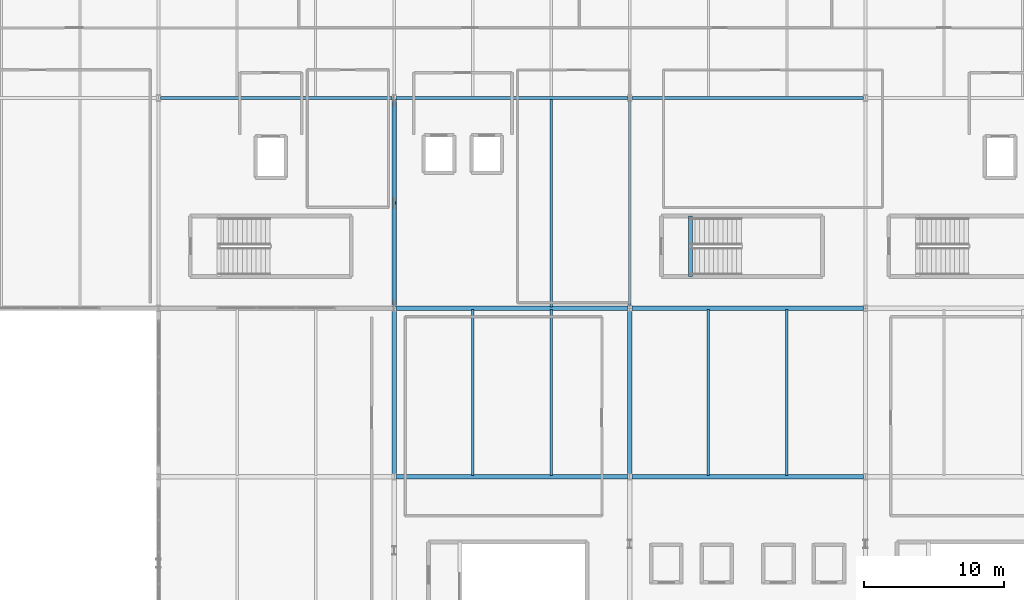
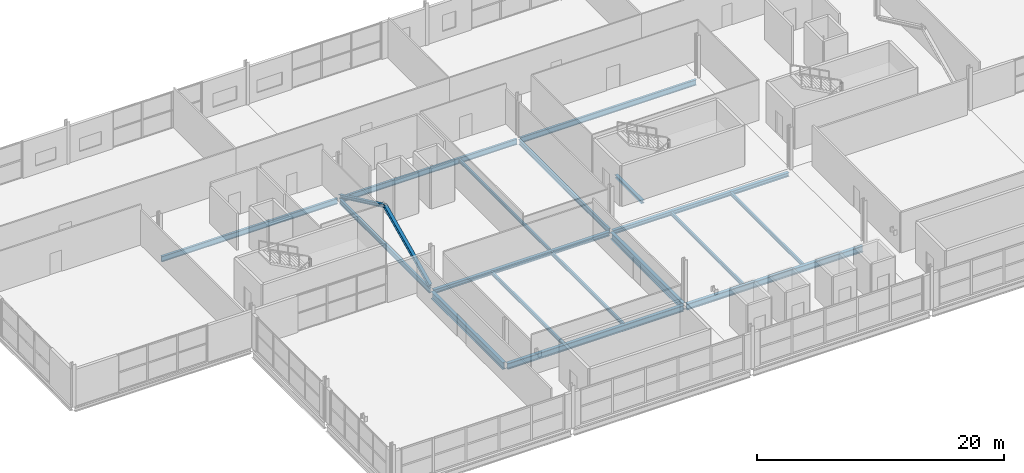
# One storey, part 13 of 39: 17 beams, 2 members.
"""IFC4 building model written with IfcOpenShell, lengths in metres."""

import ifcopenshell
import ifcopenshell.guid

model = None  # the IFC model being written
_history = None  # IfcOwnerHistory: only IFC2X3 demands one
_inside = {}  # id of a spatial element -> (the spatial element, [elements in it])
_under = {}  # id of a project, library or spatial element -> (it, [spatial elements below it])
_declared = {}  # id of a project -> (the project, [libraries it declares])
_typed = {}  # id of a type object -> (the type object, [elements of that type])
_made_of = {}  # id of a material, layer set ... -> (it, [elements and type objects made of it])


def new_model(schema):
    """Start an empty IFC model of exactly this schema.

    Asked for "IFC4X3", IfcOpenShell would pick the latest addendum, in which some entities
    have other attributes; the version numbers below select the first issue.
    IFC2X3 requires an IfcOwnerHistory on every rooted entity: one is made here for all.
    """
    global model, _history
    if schema == "IFC4X3":
        model = ifcopenshell.file(schema_version=(4, 3, 0, 0))
    else:
        model = ifcopenshell.file(schema=schema)
    _inside.clear()
    _under.clear()
    _declared.clear()
    _typed.clear()
    _made_of.clear()
    _history = None
    if model.schema == "IFC2X3":
        org = make("IfcOrganization", Name="unknown")
        user = make(
            "IfcPersonAndOrganization",
            ThePerson=make("IfcPerson", FamilyName="unknown"),
            TheOrganization=org,
        )
        app = make(
            "IfcApplication",
            ApplicationDeveloper=org,
            Version="unknown",
            ApplicationFullName="unknown",
            ApplicationIdentifier="unknown",
        )
        _history = make(
            "IfcOwnerHistory",
            OwningUser=user,
            OwningApplication=app,
            ChangeAction="ADDED",
            CreationDate=0,
        )
    return model


def make(cls, **values):
    """One entity of the class cls with the attributes given. An attribute that is None is left unset."""
    return model.create_entity(
        cls, **{name: value for name, value in values.items() if value is not None}
    )


def rooted(cls, **values):
    """An entity with a GlobalId (a new one), such as an element, a storey or a relation."""
    return make(cls, GlobalId=ifcopenshell.guid.new(), OwnerHistory=_history, **values)


def si_unit(unit_type, name, prefix=None):
    """IfcSIUnit, for example si_unit("LENGTHUNIT", "METRE", prefix="MILLI")."""
    return make("IfcSIUnit", UnitType=unit_type, Prefix=prefix, Name=name)


def assignment(units):
    """IfcUnitAssignment: the units of a project."""
    return None if units is None else make("IfcUnitAssignment", Units=units)


def point(xyz):
    """IfcCartesianPoint."""
    return None if xyz is None else make("IfcCartesianPoint", Coordinates=xyz)


def direction(xyz):
    """IfcDirection."""
    return None if xyz is None else make("IfcDirection", DirectionRatios=xyz)


def frame(location, z_axis=None, x_axis=None):
    """IfcAxis2Placement3D, a coordinate frame: its origin and axes. An axis left out is left unset."""
    return make(
        "IfcAxis2Placement3D",
        Location=point(location),
        Axis=direction(z_axis),
        RefDirection=direction(x_axis),
    )


def frame_2d(location, x_axis=None):
    """IfcAxis2Placement2D, a coordinate frame in the plane: its origin and x axis."""
    return make(
        "IfcAxis2Placement2D", Location=point(location), RefDirection=direction(x_axis)
    )


def origin():
    """The frame at (0, 0, 0) with its axes left unset."""
    return frame((0.0, 0.0, 0.0))


def origin_2d():
    """The frame at (0, 0) in the plane with its x axis left unset."""
    return frame_2d((0.0, 0.0))


def place(relative_to, where):
    """IfcLocalPlacement: puts the frame where relative to a parent placement (None: the world)."""
    return make(
        "IfcLocalPlacement", PlacementRelTo=relative_to, RelativePlacement=where
    )


def context(
    kind, dimensions, precision=None, world=None, true_north=None, identifier=None
):
    """IfcGeometricRepresentationContext, for example the 3D "Model" context."""
    return make(
        "IfcGeometricRepresentationContext",
        ContextIdentifier=identifier,
        ContextType=kind,
        CoordinateSpaceDimension=dimensions,
        Precision=precision,
        WorldCoordinateSystem=world,
        TrueNorth=true_north,
    )


def subcontext(parent, identifier, kind, view, scale=None):
    """IfcGeometricRepresentationSubContext, for example "Body" below "Model"."""
    return make(
        "IfcGeometricRepresentationSubContext",
        ContextIdentifier=identifier,
        ContextType=kind,
        ParentContext=parent,
        TargetScale=scale,
        TargetView=view,
    )


def project(units=None, contexts=None):
    """IfcProject with its units and contexts."""
    return rooted(
        "IfcProject",
        Name="project",
        RepresentationContexts=contexts,
        UnitsInContext=assignment(units),
    )


def spatial(cls, under=None, at=None, **own):
    """A site, building, storey or space (cls), placed at a placement, below another one or the project."""
    s = rooted(cls, ObjectPlacement=at, **own)
    if under is not None:
        _under.setdefault(under.id(), (under, []))[1].append(s)
    return s


def profile(cls, at=None, kind="AREA", **sizes):
    """A parametric profile (cls). Its sizes go by their IFC names, for example OverallWidth=200.0."""
    return make(cls, ProfileType=kind, Position=at, **sizes)


def i_section(**sizes):
    """IfcIShapeProfileDef."""
    return profile("IfcIShapeProfileDef", **sizes)


def extrude(swept, where, along, depth):
    """IfcExtrudedAreaSolid: the profile swept, set in the frame where, extruded along a direction by depth."""
    return make(
        "IfcExtrudedAreaSolid",
        SweptArea=swept,
        Position=where,
        ExtrudedDirection=direction(along),
        Depth=depth,
    )


def shape(context_of_items, identifier, shape_type, items):
    """IfcShapeRepresentation: the items that make up one representation, for example the "Body"."""
    return make(
        "IfcShapeRepresentation",
        ContextOfItems=context_of_items,
        RepresentationIdentifier=identifier,
        RepresentationType=shape_type,
        Items=items,
    )


def material(Name=None, Category=None):
    """IfcMaterial."""
    return make("IfcMaterial", Name=Name, Category=Category)


def material_profile(
    of_material, cross_section, Name=None, Category=None, Priority=None
):
    """IfcMaterialProfile: a cross section and its material."""
    return make(
        "IfcMaterialProfile",
        Name=Name,
        Material=of_material,
        Profile=cross_section,
        Priority=Priority,
        Category=Category,
    )


def profile_set(profiles, Name=None, composite=None):
    """IfcMaterialProfileSet."""
    return make(
        "IfcMaterialProfileSet",
        Name=Name,
        MaterialProfiles=profiles,
        CompositeProfile=composite,
    )


def made_of(thing, what):
    """Note that an element or type object is made of a material, layer set ...; save() writes the relation."""
    if what is not None:
        _made_of.setdefault(what.id(), (what, []))[1].append(thing)
    return thing


def type_object(cls, material=None, **own):
    """A type object (cls), such as IfcWallType, which elements share."""
    return made_of(rooted(cls, **own), material)


def element(
    cls,
    number,
    at=None,
    inside=None,
    cuts=None,
    type_object=None,
    material=None,
    context=None,
    identifier="Body",
    shape_type=None,
    held_by="IfcProductDefinitionShape",
    body=None,
    shapes=None,
    **own,
):
    """One element of the class cls, such as IfcWall. Its Tag is "e" and its number.

    at: its placement. inside: the storey or other place that contains it. cuts: it is an
    opening in that element (IfcRelVoidsElement). A single representation is given by context,
    identifier, shape_type and body (its items); several are given by shapes. held_by: the class
    of the entity that holds the representations. save() writes the other relations.
    """
    e = rooted(cls, Tag="e%d" % number, ObjectPlacement=at, **own)
    if body is not None:
        shapes = [shape(context, identifier, shape_type, body)]
    if shapes is not None:
        e.Representation = make(held_by, Representations=shapes)
    if inside is not None:
        _inside.setdefault(inside.id(), (inside, []))[1].append(e)
    if cuts is not None:
        rooted(
            "IfcRelVoidsElement", RelatingBuildingElement=cuts, RelatedOpeningElement=e
        )
    if type_object is not None:
        _typed.setdefault(type_object.id(), (type_object, []))[1].append(e)
    return made_of(e, material)


def aggregate(whole, parts):
    """IfcRelAggregates: a whole, such as a stair, and the parts it consists of."""
    return rooted("IfcRelAggregates", RelatingObject=whole, RelatedObjects=parts)


def save(model, path):
    """Write the relations noted so far, then the file.

    IfcRelAggregates (storeys below a building ...), IfcRelContainedInSpatialStructure (elements
    in a storey), IfcRelDefinesByType, IfcRelAssociatesMaterial and IfcRelDeclares: one each for
    every whole, place, type object, material and project.
    """
    for whole, parts in _under.values():
        aggregate(whole, parts)
    for where, things in _inside.values():
        rooted(
            "IfcRelContainedInSpatialStructure",
            RelatedElements=things,
            RelatingStructure=where,
        )
    for kind, things in _typed.values():
        rooted("IfcRelDefinesByType", RelatedObjects=things, RelatingType=kind)
    for what, things in _made_of.values():
        rooted("IfcRelAssociatesMaterial", RelatedObjects=things, RelatingMaterial=what)
    for by, libraries in _declared.values():
        rooted("IfcRelDeclares", RelatingContext=by, RelatedDefinitions=libraries)
    model.write(path)


model = new_model("IFC4")

# Units and contexts
model_context = context("Model", 3, precision=1e-05, world=origin(), true_north=direction((0.0, 1.0)))
body_context = subcontext(model_context, "Body", "Model", "MODEL_VIEW")
ifc_project = project(units=[si_unit("LENGTHUNIT", "METRE"), si_unit("AREAUNIT", "SQUARE_METRE"), si_unit("VOLUMEUNIT", "CUBIC_METRE"), si_unit("PLANEANGLEUNIT", "RADIAN"), si_unit("MASSUNIT", "GRAM", prefix="KILO")], contexts=[model_context])

# Site, building, storey
site_placement = place(None, origin())
site = spatial("IfcSite", under=ifc_project, at=site_placement, CompositionType="ELEMENT")
building_placement = place(site_placement, origin())
building = spatial("IfcBuilding", under=site, at=building_placement, Name="Kimbaza Rail Terminus", CompositionType="ELEMENT")
storey_placement = place(building_placement, frame((0.0, 0.0, 16.800048828125)))
storey = spatial("IfcBuildingStorey", under=building, at=storey_placement, Name="L03", CompositionType="ELEMENT", Elevation=16.800048828125)

# Beams
ifc_material_1 = material(Name="Steel S355", Category="steel")
ifc_material_profile_1 = material_profile(ifc_material_1, i_section(OverallWidth=0.300048828125, OverallDepth=0.2900390625, WebThickness=0.008544921875, FlangeThickness=0.013916015625, FilletRadius=0.027099609375, at=origin_2d()), Name="HEA 300")
ifc_profile_set_1 = profile_set([ifc_material_profile_1], Name="Steel S355")
beam_type_1 = type_object("IfcBeamType", Name="STR-BM-HEA300", PredefinedType="SPANDREL", material=ifc_profile_set_1)
beam_1_placement = place(storey_placement, frame((109.919921875, 105.260009765625, -0.344970703125), z_axis=(0.0, 1.0, 0.0), x_axis=(-1.0, 0.0, 0.0)))
element("IfcBeam", 1, at=beam_1_placement, inside=storey, type_object=beam_type_1, Name="Operations Central Exit Stair Landing Trimmer Beam L03", PredefinedType="SPANDREL", context=body_context, shape_type="SweptSolid", body=[
    extrude(i_section(OverallWidth=0.300048828125, OverallDepth=0.2900390625, WebThickness=0.008544921875, FlangeThickness=0.013916015625, FilletRadius=0.027099609375, at=origin_2d()), origin(), (0.0, 0.0, 1.0), 4.320068359375),
])
ifc_material_2 = material(Name="Steel S355", Category="steel")
ifc_material_profile_2 = material_profile(ifc_material_2, i_section(OverallWidth=0.300048828125, OverallDepth=0.389892578125, WebThickness=0.010986328125, FlangeThickness=0.01904296875, FilletRadius=0.027099609375, at=origin_2d()), Name="HEA 400")
ifc_profile_set_2 = profile_set([ifc_material_profile_2], Name="Steel S355")
beam_type_2 = type_object("IfcBeamType", Name="STR-BM-HEA400", PredefinedType="SPANDREL", material=ifc_profile_set_2)
beam_2_placement = place(storey_placement, frame((88.946044921875, 103.0, -0.47509765625), z_axis=(1.0, 0.0, 0.0), x_axis=(0.0, 1.0, 0.0)))
element("IfcBeam", 2, at=beam_2_placement, inside=storey, type_object=beam_type_2, Name="Operations Girder L03 X2-Y0", PredefinedType="SPANDREL", context=body_context, shape_type="SweptSolid", body=[
    extrude(i_section(OverallWidth=0.300048828125, OverallDepth=0.389892578125, WebThickness=0.010986328125, FlangeThickness=0.01904296875, FilletRadius=0.027099609375, at=origin_2d()), origin(), (0.0, 0.0, 1.0), 16.508056640625),
])
beam_3_placement = place(storey_placement, frame((105.74609375, 103.0, -0.47509765625), z_axis=(1.0, 0.0, 0.0), x_axis=(0.0, 1.0, 0.0)))
element("IfcBeam", 3, at=beam_3_placement, inside=storey, type_object=beam_type_2, Name="Operations Girder L03 X3-Y0", PredefinedType="SPANDREL", context=body_context, shape_type="SweptSolid", body=[
    extrude(i_section(OverallWidth=0.300048828125, OverallDepth=0.389892578125, WebThickness=0.010986328125, FlangeThickness=0.01904296875, FilletRadius=0.027099609375, at=origin_2d()), origin(), (0.0, 0.0, 1.0), 16.5078125),
])
ifc_material_3 = material(Name="Steel S355", Category="steel")
ifc_material_profile_3 = material_profile(ifc_material_3, i_section(OverallWidth=0.300048828125, OverallDepth=0.60009765625, WebThickness=0.015380859375, FlangeThickness=0.030029296875, FilletRadius=0.027099609375, at=origin_2d()), Name="HEB 600")
ifc_profile_set_3 = profile_set([ifc_material_profile_3], Name="Steel S355")
beam_type_3 = type_object("IfcBeamType", Name="STR-BM-HEB600", PredefinedType="BEAM", material=ifc_profile_set_3)
beam_4_placement = place(storey_placement, frame((88.946044921875, 91.0, -0.580078125), z_axis=(1.0, 0.0, 0.0), x_axis=(0.0, 1.0, 0.0)))
element("IfcBeam", 4, at=beam_4_placement, inside=storey, type_object=beam_type_3, Name="Beam BM-BRGX-91-1", PredefinedType="BEAM", context=body_context, shape_type="SweptSolid", body=[
    extrude(i_section(OverallWidth=0.300048828125, OverallDepth=0.60009765625, WebThickness=0.015380859375, FlangeThickness=0.030029296875, FilletRadius=0.027099609375, at=origin_2d()), origin(), (0.0, 0.0, 1.0), 16.508056640625),
])
beam_5_placement = place(storey_placement, frame((105.74609375, 91.0, -0.580078125), z_axis=(1.0, 0.0, 0.0), x_axis=(0.0, 1.0, 0.0)))
element("IfcBeam", 5, at=beam_5_placement, inside=storey, type_object=beam_type_3, Name="Beam BM-BRGX-91-2", PredefinedType="BEAM", context=body_context, shape_type="SweptSolid", body=[
    extrude(i_section(OverallWidth=0.300048828125, OverallDepth=0.60009765625, WebThickness=0.015380859375, FlangeThickness=0.030029296875, FilletRadius=0.027099609375, at=origin_2d()), origin(), (0.0, 0.0, 1.0), 16.5078125),
])
ifc_material_4 = material(Name="Steel S355", Category="steel")
ifc_material_profile_4 = material_profile(ifc_material_4, i_section(OverallWidth=0.300048828125, OverallDepth=0.699951171875, WebThickness=0.01708984375, FlangeThickness=0.031982421875, FilletRadius=0.027099609375, at=origin_2d()), Name="HEB 700")
ifc_profile_set_4 = profile_set([ifc_material_profile_4], Name="Steel S355")
beam_type_4 = type_object("IfcBeamType", Name="STR-BM-HEB700", PredefinedType="USERDEFINED", material=ifc_profile_set_4)
for number, where, z_axis, x_axis, name in (
    (6, (88.800048828125, 91.175048828125, -0.630126953125), (0.0, 1.0, 0.0), (-1.0, 0.0, 0.0), "Beam BM-BRGY-89-91"),
    (7, (105.60009765625, 91.175048828125, -0.630126953125), (0.0, 1.0, 0.0), (-1.0, 0.0, 0.0), "Beam BM-BRGY-106-91"),
):
    element("IfcBeam", number, at=place(storey_placement, frame(where, z_axis=z_axis, x_axis=x_axis)), inside=storey, type_object=beam_type_4, Name=name, ObjectType="GIRDER", PredefinedType="USERDEFINED", context=body_context, shape_type="SweptSolid", body=[
        extrude(i_section(OverallWidth=0.300048828125, OverallDepth=0.699951171875, WebThickness=0.01708984375, FlangeThickness=0.031982421875, FilletRadius=0.027099609375, at=origin_2d()), origin(), (0.0, 0.0, 1.0), 11.64990234375),
    ])
ifc_material_5 = material(Name="Steel S355", Category="steel")
ifc_material_profile_5 = material_profile(ifc_material_5, i_section(OverallWidth=0.159912109375, OverallDepth=0.330078125, WebThickness=0.007568359375, FlangeThickness=0.011474609375, FilletRadius=0.01806640625, at=origin_2d()), Name="IPE 330")
ifc_profile_set_5 = profile_set([ifc_material_profile_5], Name="Steel S355")
beam_type_5 = type_object("IfcBeamType", Name="STR-BM-IPE330", PredefinedType="JOIST", material=ifc_profile_set_5)
beam_6_placement = place(storey_placement, frame((100.0, 103.10009765625, -0.364990234375), z_axis=(0.0, 1.0, 0.0), x_axis=(-1.0, 0.0, 0.0)))
element("IfcBeam", 8, at=beam_6_placement, inside=storey, type_object=beam_type_5, Name="Operations Secondary Joist L03", PredefinedType="JOIST", context=body_context, shape_type="SweptSolid", body=[
    extrude(i_section(OverallWidth=0.159912109375, OverallDepth=0.330078125, WebThickness=0.007568359375, FlangeThickness=0.011474609375, FilletRadius=0.01806640625, at=origin_2d()), origin(), (0.0, 0.0, 1.0), 14.7998046875),
])
ifc_material_6 = material(Name="Steel S355", Category="steel")
ifc_material_profile_6 = material_profile(ifc_material_6, i_section(OverallWidth=0.169921875, OverallDepth=0.360107421875, WebThickness=0.008056640625, FlangeThickness=0.0126953125, FilletRadius=0.01806640625, at=origin_2d()), Name="IPE 360")
ifc_profile_set_6 = profile_set([ifc_material_profile_6], Name="Steel S355")
beam_type_6 = type_object("IfcBeamType", Name="STR-BM-IPE360", PredefinedType="JOIST", material=ifc_profile_set_6)
for number, where, z_axis, x_axis, name in (
    (9, (94.39990234375, 91.10009765625, -0.4599609375), (0.0, 1.0, 0.0), (-1.0, 0.0, 0.0), "Beam JST-BRG-L03-1-1-91"),
    (10, (100.0, 91.10009765625, -0.4599609375), (0.0, 1.0, 0.0), (-1.0, 0.0, 0.0), "Beam JST-BRG-L03-1-2-91"),
    (11, (111.199951171875, 91.10009765625, -0.4599609375), (0.0, 1.0, 0.0), (-1.0, 0.0, 0.0), "Beam JST-BRG-L03-2-1-91"),
    (12, (116.800048828125, 91.10009765625, -0.4599609375), (0.0, 1.0, 0.0), (-1.0, 0.0, 0.0), "Beam JST-BRG-L03-2-2-91"),
):
    element("IfcBeam", number, at=place(storey_placement, frame(where, z_axis=z_axis, x_axis=x_axis)), inside=storey, type_object=beam_type_6, Name=name, PredefinedType="JOIST", context=body_context, shape_type="SweptSolid", body=[
        extrude(i_section(OverallWidth=0.169921875, OverallDepth=0.360107421875, WebThickness=0.008056640625, FlangeThickness=0.0126953125, FilletRadius=0.01806640625, at=origin_2d()), origin(), (0.0, 0.0, 1.0), 11.7998046875),
    ])
ifc_material_7 = material(Name="Steel S355", Category="steel")
ifc_material_profile_7 = material_profile(ifc_material_7, i_section(OverallWidth=0.199951171875, OverallDepth=0.5, WebThickness=0.01025390625, FlangeThickness=0.01611328125, FilletRadius=0.02099609375, at=origin_2d()), Name="IPE 500")
ifc_profile_set_7 = profile_set([ifc_material_profile_7], Name="Steel S355")
beam_type_7 = type_object("IfcBeamType", Name="STR-BM-IPE500", PredefinedType="BEAM", material=ifc_profile_set_7)
for number, where, z_axis, x_axis, name in (
    (13, (88.800048828125, 103.175048828125, -0.449951171875), (0.0, 1.0, 0.0), (-1.0, 0.0, 0.0), "Operations Cross Girder L03 X2-Y0"),
    (14, (105.60009765625, 103.175048828125, -0.449951171875), (0.0, 1.0, 0.0), (-1.0, 0.0, 0.0), "Operations Cross Girder L03 X3-Y0"),
):
    element("IfcBeam", number, at=place(storey_placement, frame(where, z_axis=z_axis, x_axis=x_axis)), inside=storey, type_object=beam_type_7, Name=name, PredefinedType="BEAM", context=body_context, shape_type="SweptSolid", body=[
        extrude(i_section(OverallWidth=0.199951171875, OverallDepth=0.5, WebThickness=0.01025390625, FlangeThickness=0.01611328125, FilletRadius=0.02099609375, at=origin_2d()), origin(), (0.0, 0.0, 1.0), 14.64990234375),
    ])
ifc_material_8 = material(Name="Steel S355", Category="steel")
ifc_material_profile_8 = material_profile(ifc_material_8, i_section(OverallWidth=0.2099609375, OverallDepth=0.550048828125, WebThickness=0.010986328125, FlangeThickness=0.01708984375, FilletRadius=0.02392578125, at=origin_2d()), Name="IPE 550")
ifc_profile_set_8 = profile_set([ifc_material_profile_8], Name="Steel S355")
beam_type_8 = type_object("IfcBeamType", Name="STR-BM-IPE550", PredefinedType="BEAM", material=ifc_profile_set_8)
for number, where, z_axis, x_axis, name in (
    (15, (72.14599609375, 118.0, -0.47509765625), (1.0, 0.0, 0.0), (0.0, 1.0, 0.0), "Operations Girder L03 X1-Y1"),
    (16, (88.946044921875, 118.0, -0.47509765625), (1.0, 0.0, 0.0), (0.0, 1.0, 0.0), "Operations Girder L03 X2-Y1"),
):
    element("IfcBeam", number, at=place(storey_placement, frame(where, z_axis=z_axis, x_axis=x_axis)), inside=storey, type_object=beam_type_8, Name=name, PredefinedType="BEAM", context=body_context, shape_type="SweptSolid", body=[
        extrude(i_section(OverallWidth=0.2099609375, OverallDepth=0.550048828125, WebThickness=0.010986328125, FlangeThickness=0.01708984375, FilletRadius=0.02392578125, at=origin_2d()), origin(), (0.0, 0.0, 1.0), 16.508056640625),
    ])
beam_7_placement = place(storey_placement, frame((105.74609375, 118.0, -0.47509765625), z_axis=(1.0, 0.0, 0.0), x_axis=(0.0, 1.0, 0.0)))
element("IfcBeam", 17, at=beam_7_placement, inside=storey, type_object=beam_type_8, Name="Operations Girder L03 X3-Y1", PredefinedType="BEAM", context=body_context, shape_type="SweptSolid", body=[
    extrude(i_section(OverallWidth=0.2099609375, OverallDepth=0.550048828125, WebThickness=0.010986328125, FlangeThickness=0.01708984375, FilletRadius=0.02392578125, at=origin_2d()), origin(), (0.0, 0.0, 1.0), 16.5078125),
])

# Members
ifc_material_9 = material(Name="Steel S355", Category="steel")
ifc_material_profile_9 = material_profile(ifc_material_9, i_section(OverallWidth=0.300048828125, OverallDepth=0.300048828125, WebThickness=0.010986328125, FlangeThickness=0.01904296875, FilletRadius=0.027099609375, at=origin_2d()), Name="HEB 300")
ifc_profile_set_9 = profile_set([ifc_material_profile_9], Name="Steel S355")
member_type = type_object("IfcMemberType", Name="STR-MB-HEB300", PredefinedType="BRACE", material=ifc_profile_set_9)
for number, where, z_axis, x_axis, name in (
    (18, (88.800048828125, 103.179931640625, 0.050048828125), (0.0, 0.904570355693, 0.426324373688), (-1.0, 0.0, 0.0), "Core Chevron Brace 4A"),
    (19, (88.800048828125, 117.820068359375, 0.050048828125), (0.0, -0.904570355693, 0.426324373688), (1.0, 0.0, 0.0), "Core Chevron Brace 4B"),
):
    element("IfcMember", number, at=place(storey_placement, frame(where, z_axis=z_axis, x_axis=x_axis)), inside=storey, type_object=member_type, Name=name, PredefinedType="BRACE", context=body_context, shape_type="SweptSolid", body=[
        extrude(i_section(OverallWidth=0.300048828125, OverallDepth=0.300048828125, WebThickness=0.010986328125, FlangeThickness=0.01904296875, FilletRadius=0.027099609375, at=origin_2d()), origin(), (0.0, 0.0, 1.0), 8.09228515625),
    ])

save(model, "model.ifc")
